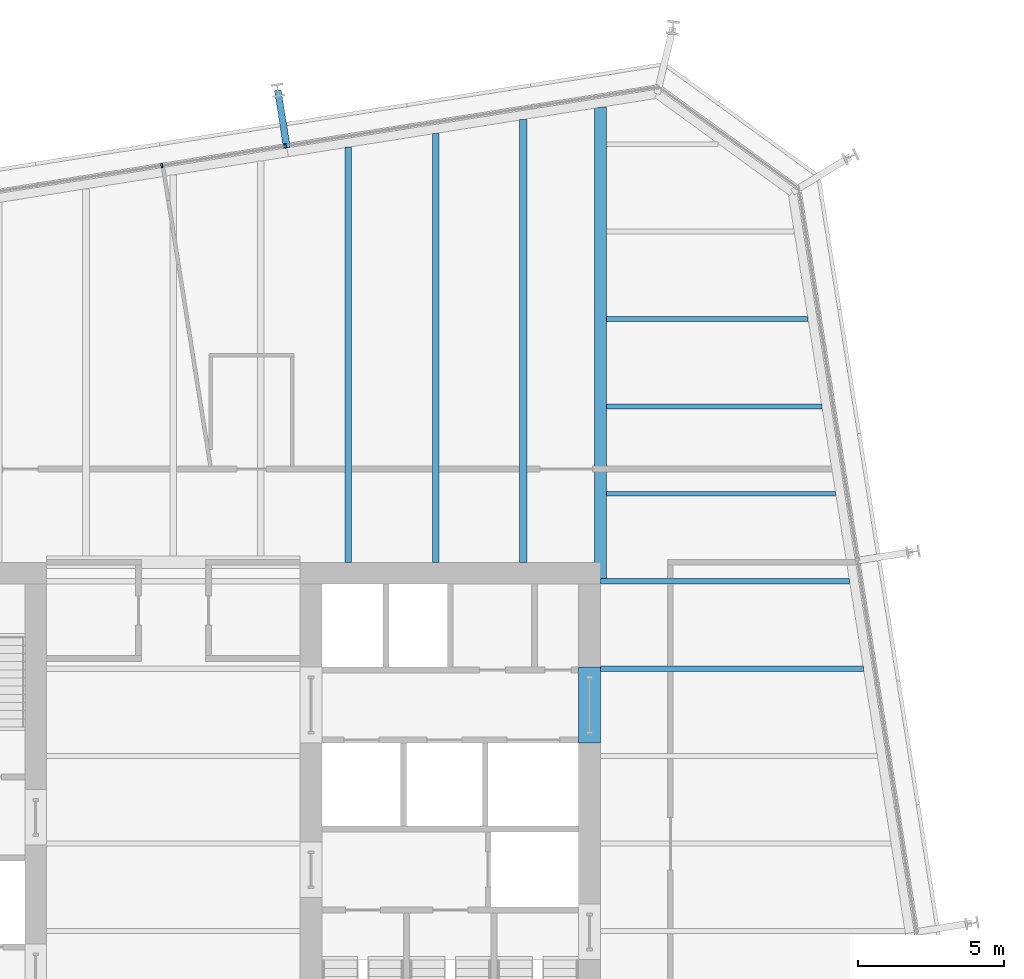
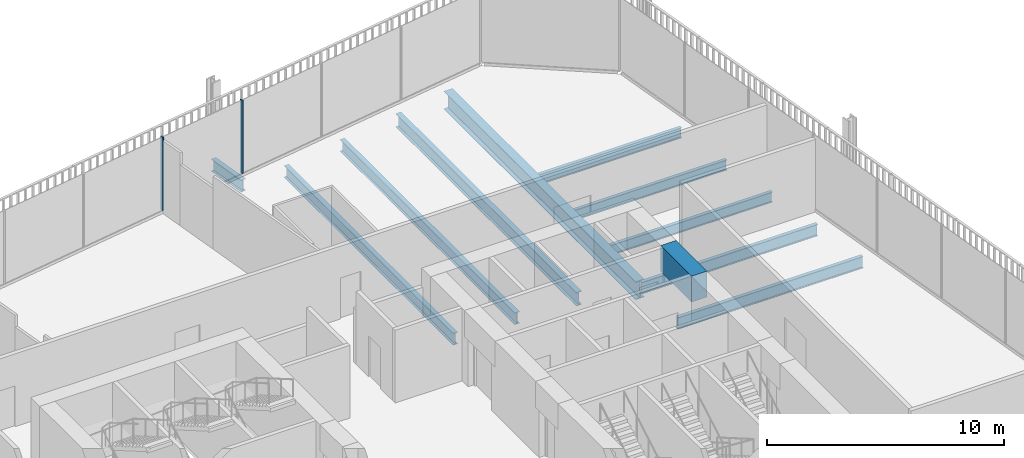
# One storey, part 13 of 21: 11 beams, 2 members, 1 element without a shape of its own.
"""IFC4 building model written with IfcOpenShell, lengths in metres."""

from ifc_helpers import new_model, si_unit, direction, frame, origin, origin_2d, place, context, subcontext, project, spatial, rectangle, i_section, extrude, material, layer, layer_set, material_profile, profile_set, type_object, element, aggregate, save


model = new_model("IFC4")

# Units and contexts
model_context = context("Model", 3, precision=1e-05, world=origin(), true_north=direction((0.0, 1.0)))
body_context = subcontext(model_context, "Body", "Model", "MODEL_VIEW")
ifc_project = project(units=[si_unit("LENGTHUNIT", "METRE"), si_unit("AREAUNIT", "SQUARE_METRE"), si_unit("VOLUMEUNIT", "CUBIC_METRE"), si_unit("PLANEANGLEUNIT", "RADIAN"), si_unit("MASSUNIT", "GRAM", prefix="KILO")], contexts=[model_context])

# Site, building, storey
site_placement = place(None, origin())
site = spatial("IfcSite", under=ifc_project, at=site_placement, CompositionType="ELEMENT")
building_placement = place(site_placement, origin())
building = spatial("IfcBuilding", under=site, at=building_placement, Name="Millrace Tower", CompositionType="ELEMENT")
storey_placement = place(building_placement, frame((0.0, 0.0, 133.39990234375)))
storey = spatial("IfcBuildingStorey", under=building, at=storey_placement, Name="L29", CompositionType="ELEMENT", Elevation=133.39990234375)

# Curtain wall, members
ifc_material_1 = material(Name="Aluminium and glass", Category="aluminium")
ifc_layer = layer(ifc_material_1, 0.14990234375)
ifc_layer_set = layer_set([ifc_layer], Name="Aluminium and glass")
curtain_wall_type = type_object("IfcCurtainWallType", Name="CW-1 office vision curtain wall", PredefinedType="NOTDEFINED", material=ifc_layer_set)
curtain_wall_placement = place(storey_placement, origin())
curtain_wall = element("IfcCurtainWall", 1, at=curtain_wall_placement, inside=storey, type_object=curtain_wall_type, Name="Curtain wall C-F06 L29", PredefinedType="NOTDEFINED")
ifc_material_2 = material(Name="Aluminium", Category="aluminium")
ifc_material_profile_1 = material_profile(ifc_material_2, rectangle(XDim=0.06494140625, YDim=0.14990234375, at=origin_2d()))
ifc_profile_set_1 = profile_set([ifc_material_profile_1], Name="Aluminium")
member_type = type_object("IfcMemberType", Name="CW-1 office vision curtain wall mullion", PredefinedType="MULLION", material=ifc_profile_set_1)
member_1_placement = place(storey_placement, frame((3.8505859375, 23.938720703125, 0.14013671875), z_axis=(0.0, 0.0, 1.0), x_axis=(-0.98768833929, -0.15643447328, 0.0)))
member_1 = element("IfcMember", 2, at=member_1_placement, type_object=member_type, Name="CW1 mullion C-F06.4", PredefinedType="MULLION", context=body_context, shape_type="SweptSolid", body=[
    extrude(rectangle(XDim=0.06494140625, YDim=0.14990234375, at=origin_2d()), origin(), (0.0, 0.0, 1.0), 3.760009765625),
])
member_2_placement = place(storey_placement, frame((-0.396484375, 23.26611328125, 0.14013671875), z_axis=(0.0, 0.0, 1.0), x_axis=(-0.98768833929, -0.15643447328, 0.0)))
member_2 = element("IfcMember", 3, at=member_2_placement, type_object=member_type, Name="CW1 mullion C-F06.5", PredefinedType="MULLION", context=body_context, shape_type="SweptSolid", body=[
    extrude(rectangle(XDim=0.06494140625, YDim=0.14990234375, at=origin_2d()), origin(), (0.0, 0.0, 1.0), 3.760009765625),
])
aggregate(curtain_wall, [member_1, member_2])

# Beams
ifc_material_3 = material(Name="Concrete C70", Category="concrete")
ifc_material_profile_2 = material_profile(ifc_material_3, rectangle(XDim=0.75, YDim=1.340087890625, at=origin_2d()))
ifc_profile_set_2 = profile_set([ifc_material_profile_2], Name="Concrete C70")
beam_type_1 = type_object("IfcBeamType", Name="Coupling beam 750 x 1340 Concrete C70, 2000 opening", PredefinedType="BEAM", material=ifc_profile_set_2)
beam_1_placement = place(storey_placement, frame((14.27490234375, 6.050048828125, 3.070068359375), z_axis=(0.0, -1.0, 0.0), x_axis=(1.0, 0.0, 0.0)))
element("IfcBeam", 4, at=beam_1_placement, inside=storey, type_object=beam_type_1, Name="Coupling beam E L29", PredefinedType="BEAM", context=body_context, shape_type="SweptSolid", body=[
    extrude(rectangle(XDim=0.75, YDim=1.340087890625, at=origin_2d()), origin(), (0.0, 0.0, 1.0), 2.60009765625),
])
ifc_material_4 = material(Name="Steel ASTM A992 Grade 50", Category="steel")
ifc_material_profile_3 = material_profile(ifc_material_4, i_section(OverallWidth=0.1650390625, OverallDepth=0.52587890625, WebThickness=0.0087890625, FlangeThickness=0.011474609375, FilletRadius=0.0126953125, at=origin_2d()))
ifc_profile_set_3 = profile_set([ifc_material_profile_3], Name="Steel ASTM A992 Grade 50")
beam_type_2 = type_object("IfcBeamType", Name="Floor beam W21x44", PredefinedType="JOIST", material=ifc_profile_set_3)
beam_2_placement = place(storey_placement, frame((14.859619140625, 12.0, -0.4228515625), z_axis=(1.0, 0.0, 0.0), x_axis=(0.0, 1.0, 0.0)))
element("IfcBeam", 5, at=beam_2_placement, inside=storey, type_object=beam_type_2, Name="BM-C-L29-S1-S032", PredefinedType="JOIST", context=body_context, shape_type="SweptSolid", body=[
    extrude(i_section(OverallWidth=0.1650390625, OverallDepth=0.52587890625, WebThickness=0.0087890625, FlangeThickness=0.011474609375, FilletRadius=0.0126953125, at=origin_2d()), origin(), (0.0, 0.0, 1.0), 7.8662109375),
])
beam_3_placement = place(storey_placement, frame((14.859619140625, 15.0, -0.4228515625), z_axis=(1.0, 0.0, 0.0), x_axis=(0.0, 1.0, 0.0)))
element("IfcBeam", 6, at=beam_3_placement, inside=storey, type_object=beam_type_2, Name="BM-C-L29-S1-S034", PredefinedType="JOIST", context=body_context, shape_type="SweptSolid", body=[
    extrude(i_section(OverallWidth=0.1650390625, OverallDepth=0.52587890625, WebThickness=0.0087890625, FlangeThickness=0.011474609375, FilletRadius=0.0126953125, at=origin_2d()), origin(), (0.0, 0.0, 1.0), 7.390869140625),
])
beam_4_placement = place(storey_placement, frame((14.859619140625, 18.0, -0.4228515625), z_axis=(1.0, 0.0, 0.0), x_axis=(0.0, 1.0, 0.0)))
element("IfcBeam", 7, at=beam_4_placement, inside=storey, type_object=beam_type_2, Name="BM-C-L29-S1-S036", PredefinedType="JOIST", context=body_context, shape_type="SweptSolid", body=[
    extrude(i_section(OverallWidth=0.1650390625, OverallDepth=0.52587890625, WebThickness=0.0087890625, FlangeThickness=0.011474609375, FilletRadius=0.0126953125, at=origin_2d()), origin(), (0.0, 0.0, 1.0), 6.915771484375),
])
ifc_material_5 = material(Name="Steel ASTM A992 Grade 50", Category="steel")
ifc_material_profile_4 = material_profile(ifc_material_5, i_section(OverallWidth=0.177978515625, OverallDepth=0.599365234375, WebThickness=0.010009765625, FlangeThickness=0.012939453125, FilletRadius=0.012939453125, at=origin_2d()))
ifc_profile_set_4 = profile_set([ifc_material_profile_4], Name="Steel ASTM A992 Grade 50")
beam_type_3 = type_object("IfcBeamType", Name="Floor beam W24x55", PredefinedType="JOIST", material=ifc_profile_set_4)
beam_5_placement = place(storey_placement, frame((14.64990234375, 6.0, -0.459716796875), z_axis=(1.0, 0.0, 0.0), x_axis=(0.0, 1.0, 0.0)))
element("IfcBeam", 8, at=beam_5_placement, inside=storey, type_object=beam_type_3, Name="BM-C-L29-S1-S027", PredefinedType="JOIST", context=body_context, shape_type="SweptSolid", body=[
    extrude(i_section(OverallWidth=0.177978515625, OverallDepth=0.599365234375, WebThickness=0.010009765625, FlangeThickness=0.012939453125, FilletRadius=0.012939453125, at=origin_2d()), origin(), (0.0, 0.0, 1.0), 9.026123046875),
])
beam_6_placement = place(storey_placement, frame((14.64990234375, 9.0, -0.459716796875), z_axis=(1.0, 0.0, 0.0), x_axis=(0.0, 1.0, 0.0)))
element("IfcBeam", 9, at=beam_6_placement, inside=storey, type_object=beam_type_3, Name="BM-C-L29-S1-S030", PredefinedType="JOIST", context=body_context, shape_type="SweptSolid", body=[
    extrude(i_section(OverallWidth=0.177978515625, OverallDepth=0.599365234375, WebThickness=0.010009765625, FlangeThickness=0.012939453125, FilletRadius=0.012939453125, at=origin_2d()), origin(), (0.0, 0.0, 1.0), 8.551025390625),
])
ifc_material_6 = material(Name="Steel ASTM A992 Grade 50", Category="steel")
ifc_material_profile_5 = material_profile(ifc_material_6, i_section(OverallWidth=0.228271484375, OverallDepth=0.607177734375, WebThickness=0.01123046875, FlangeThickness=0.017333984375, FilletRadius=0.0126953125, at=origin_2d()))
ifc_profile_set_5 = profile_set([ifc_material_profile_5], Name="Steel ASTM A992 Grade 50")
beam_type_4 = type_object("IfcBeamType", Name="Floor beam W24x76", PredefinedType="JOIST", material=ifc_profile_set_5)
beam_7_placement = place(storey_placement, frame((6.0, 9.64990234375, -0.46337890625), z_axis=(0.0, 1.0, 0.0), x_axis=(-1.0, 0.0, 0.0)))
element("IfcBeam", 10, at=beam_7_placement, inside=storey, type_object=beam_type_4, Name="BM-C-L29-S1-S051", PredefinedType="JOIST", context=body_context, shape_type="SweptSolid", body=[
    extrude(i_section(OverallWidth=0.228271484375, OverallDepth=0.607177734375, WebThickness=0.01123046875, FlangeThickness=0.017333984375, FilletRadius=0.0126953125, at=origin_2d()), origin(), (0.0, 0.0, 1.0), 14.2421875),
])
beam_8_placement = place(storey_placement, frame((9.0, 9.64990234375, -0.46337890625), z_axis=(0.0, 1.0, 0.0), x_axis=(-1.0, 0.0, 0.0)))
element("IfcBeam", 11, at=beam_8_placement, inside=storey, type_object=beam_type_4, Name="BM-C-L29-S1-S053", PredefinedType="JOIST", context=body_context, shape_type="SweptSolid", body=[
    extrude(i_section(OverallWidth=0.228271484375, OverallDepth=0.607177734375, WebThickness=0.01123046875, FlangeThickness=0.017333984375, FilletRadius=0.0126953125, at=origin_2d()), origin(), (0.0, 0.0, 1.0), 14.71728515625),
])
ifc_material_7 = material(Name="Steel ASTM A992 Grade 50", Category="steel")
ifc_material_profile_6 = material_profile(ifc_material_7, i_section(OverallWidth=0.256591796875, OverallDepth=0.693359375, WebThickness=0.014404296875, FlangeThickness=0.023681640625, FilletRadius=0.01513671875, at=origin_2d()))
ifc_profile_set_6 = profile_set([ifc_material_profile_6], Name="Steel ASTM A992 Grade 50")
beam_type_5 = type_object("IfcBeamType", Name="Floor beam W27x114", PredefinedType="JOIST", material=ifc_profile_set_6)
beam_9_placement = place(storey_placement, frame((12.0, 9.64990234375, -0.506591796875), z_axis=(0.0, 1.0, 0.0), x_axis=(-1.0, 0.0, 0.0)))
element("IfcBeam", 12, at=beam_9_placement, inside=storey, type_object=beam_type_5, Name="BM-C-L29-S1-S055", PredefinedType="JOIST", context=body_context, shape_type="SweptSolid", body=[
    extrude(i_section(OverallWidth=0.256591796875, OverallDepth=0.693359375, WebThickness=0.014404296875, FlangeThickness=0.023681640625, FilletRadius=0.01513671875, at=origin_2d()), origin(), (0.0, 0.0, 1.0), 15.1923828125),
])
ifc_material_8 = material(Name="Steel ASTM A992 Grade 50", Category="steel")
ifc_material_profile_7 = material_profile(ifc_material_8, i_section(OverallWidth=0.419189453125, OverallDepth=0.927001953125, WebThickness=0.019287109375, FlangeThickness=0.031982421875, FilletRadius=0.024169921875, at=origin_2d()))
ifc_profile_set_7 = profile_set([ifc_material_profile_7], Name="Steel ASTM A992 Grade 50")
beam_type_6 = type_object("IfcBeamType", Name="Girder medium span W36x231", PredefinedType="BEAM", material=ifc_profile_set_7)
beam_10_placement = place(storey_placement, frame((14.64990234375, 9.090087890625, -0.62353515625), z_axis=(0.0, 1.0, 0.0), x_axis=(-1.0, 0.0, 0.0)))
element("IfcBeam", 13, at=beam_10_placement, inside=storey, type_object=beam_type_6, Name="BM-C-L29-S1-G059", PredefinedType="BEAM", context=body_context, shape_type="SweptSolid", body=[
    extrude(i_section(OverallWidth=0.419189453125, OverallDepth=0.927001953125, WebThickness=0.019287109375, FlangeThickness=0.031982421875, FilletRadius=0.024169921875, at=origin_2d()), origin(), (0.0, 0.0, 1.0), 16.1640625),
])
ifc_material_9 = material(Name="Steel ASTM A992 Grade 50", Category="steel")
ifc_material_profile_8 = material_profile(ifc_material_9, i_section(OverallWidth=0.23046875, OverallDepth=0.6171875, WebThickness=0.01318359375, FlangeThickness=0.022216796875, FilletRadius=0.012939453125, at=origin_2d()))
ifc_profile_set_8 = profile_set([ifc_material_profile_8], Name="Steel ASTM A992 Grade 50")
beam_type_7 = type_object("IfcBeamType", Name="Link beam W24x94", PredefinedType="BEAM", material=ifc_profile_set_8)
beam_11_placement = place(storey_placement, frame((3.894287109375, 23.86962890625, -0.468505859375), z_axis=(-0.15637629034, 0.987697552806, 0.0), x_axis=(-0.987697552806, -0.15637629034, 0.0)))
element("IfcBeam", 14, at=beam_11_placement, inside=storey, type_object=beam_type_7, Name="LNK-C-L29-S1-07", PredefinedType="BEAM", context=body_context, shape_type="SweptSolid", body=[
    extrude(i_section(OverallWidth=0.23046875, OverallDepth=0.6171875, WebThickness=0.01318359375, FlangeThickness=0.022216796875, FilletRadius=0.012939453125, at=origin_2d()), origin(), (0.0, 0.0, 1.0), 2.0),
])

save(model, "model.ifc")
